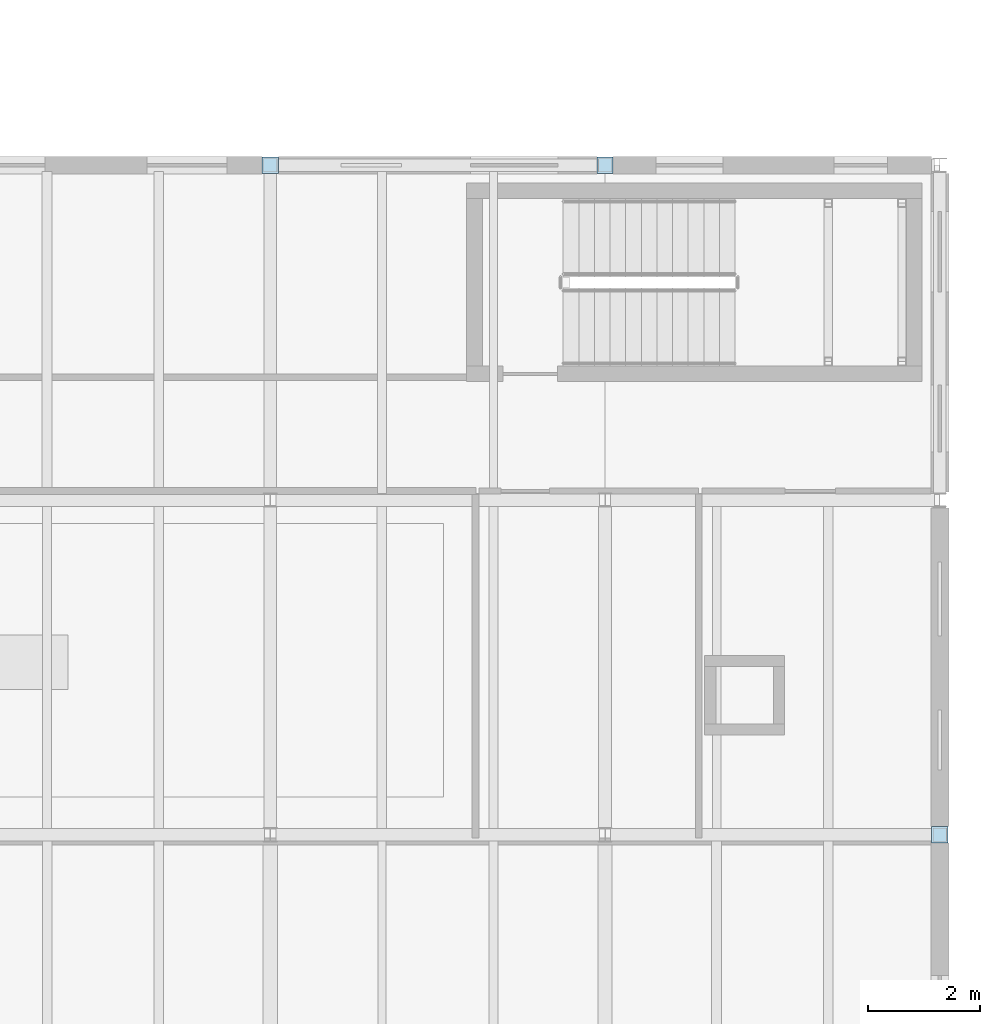
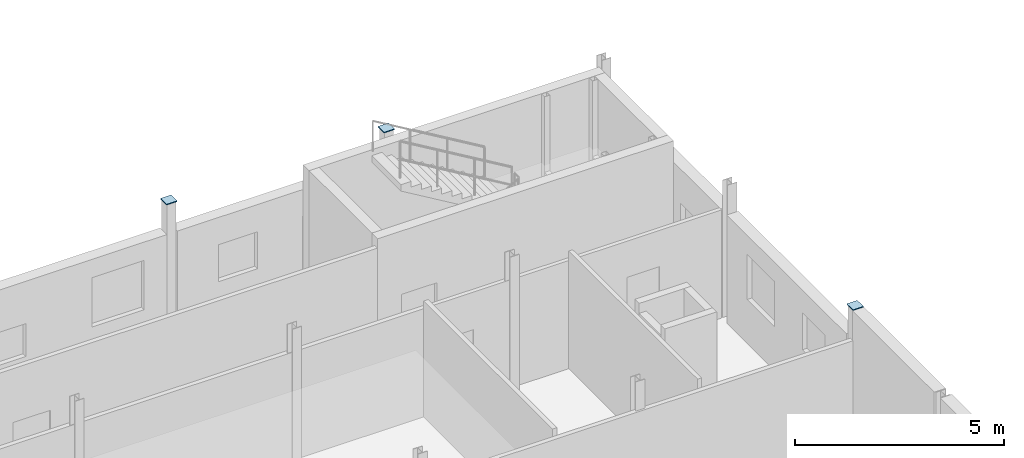
# One storey, part 61 of 92: 3 plates.
"""IFC4 building model written with IfcOpenShell, lengths in metres."""

from ifc_helpers import new_model, si_unit, direction, frame, origin, origin_2d, place, context, subcontext, project, spatial, rectangle, extrude, material, layer, layer_set, type_object, element, save


model = new_model("IFC4")

# Units and contexts
model_context = context("Model", 3, precision=1e-05, world=origin(), true_north=direction((0.0, 1.0)))
body_context = subcontext(model_context, "Body", "Model", "MODEL_VIEW")
ifc_project = project(units=[si_unit("LENGTHUNIT", "METRE"), si_unit("AREAUNIT", "SQUARE_METRE"), si_unit("VOLUMEUNIT", "CUBIC_METRE"), si_unit("PLANEANGLEUNIT", "RADIAN"), si_unit("MASSUNIT", "GRAM", prefix="KILO")], contexts=[model_context])

# Site, building, storey
site_placement = place(None, origin())
site = spatial("IfcSite", under=ifc_project, at=site_placement, CompositionType="ELEMENT")
building_placement = place(site_placement, origin())
building = spatial("IfcBuilding", under=site, at=building_placement, Name="Siltcreek Boulevard Central Fire Station", CompositionType="ELEMENT")
storey_placement = place(building_placement, frame((0.0, 0.0, 6.0)))
storey = spatial("IfcBuildingStorey", under=building, at=storey_placement, Name="L02", CompositionType="ELEMENT", Elevation=6.0)

# Plates
ifc_material = material(Name="Structural steel ASTM A572 Gr50", Category="steel")
ifc_layer = layer(ifc_material, 0.02490234375, Name="Structural steel ASTM A572 Gr50")
ifc_layer_set = layer_set([ifc_layer], Name="Structural steel ASTM A572 Gr50")
plate_type = type_object("IfcPlateType", Name="PL_CAP25", PredefinedType="USERDEFINED", material=ifc_layer_set)
for number, where, z_axis, x_axis, name in (
    (1, (154.199951171875, 30.0, 3.998046875), (0.0, 0.0, 1.0), (1.0, 0.0, 0.0), "L02 structural column COLG-L02-1542-300 sealed end cap 2"),
    (2, (160.199951171875, 30.0, 3.998046875), (0.0, 0.0, 1.0), (1.0, 0.0, 0.0), "L02 structural column COLG-L02-1602-300 sealed end cap 2"),
    (3, (166.199951171875, 18.0, 3.998046875), (0.0, 0.0, 1.0), (1.0, 0.0, 0.0), "L02 structural column COLG-L02-1662-180 sealed end cap 2"),
):
    element("IfcPlate", number, at=place(storey_placement, frame(where, z_axis=z_axis, x_axis=x_axis)), inside=storey, type_object=plate_type, Name=name, ObjectType="END CAP", PredefinedType="USERDEFINED", context=body_context, shape_type="SweptSolid", body=[
        extrude(rectangle(XDim=0.2900390625, YDim=0.2900390625, at=origin_2d()), origin(), (0.0, 0.0, 1.0), 0.02490234375),
    ])

save(model, "model.ifc")
